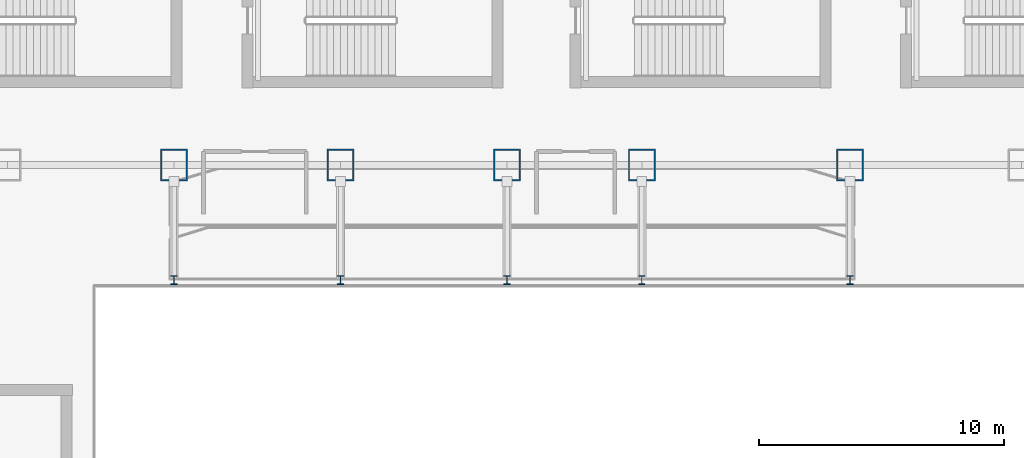
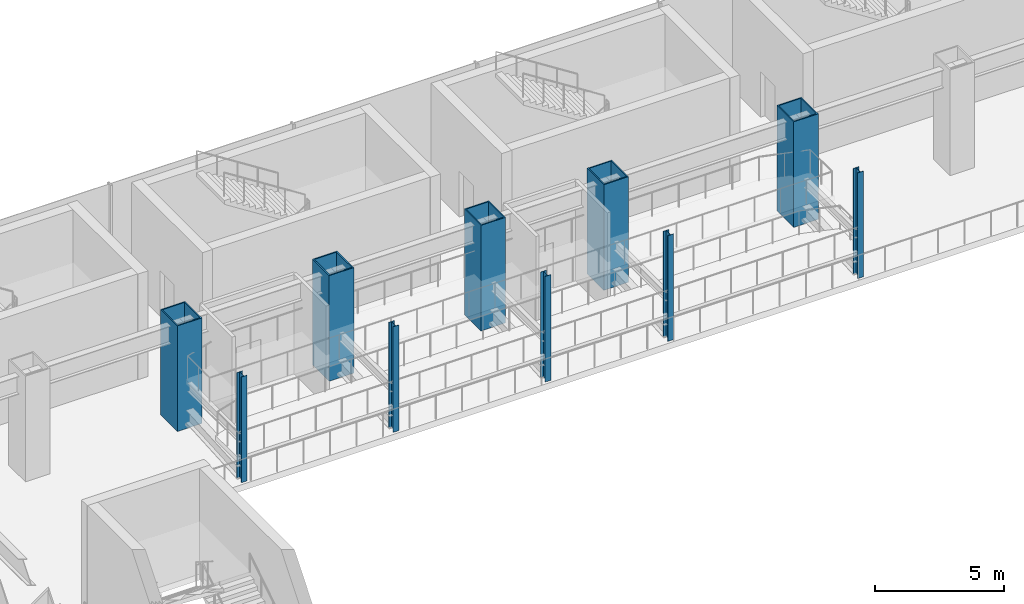
# One storey, part 2 of 39: 10 columns.
"""IFC4 building model written with IfcOpenShell, lengths in metres."""

from ifc_helpers import new_model, si_unit, derived_unit, direction, frame, origin, origin_2d, place, context, subcontext, project, spatial, hollow_rectangle, i_section, extrude, source, transform, mapped, material, material_profile, profile_set, type_object, element, save


model = new_model("IFC4")

# Units and contexts
model_context = context("Model", 3, precision=1e-05, world=origin(), true_north=direction((0.0, 1.0)))
body_context = subcontext(model_context, "Body", "Model", "MODEL_VIEW")
ifc_project = project(units=[si_unit("LENGTHUNIT", "METRE"), si_unit("AREAUNIT", "SQUARE_METRE"), si_unit("VOLUMEUNIT", "CUBIC_METRE"), si_unit("PLANEANGLEUNIT", "RADIAN"), si_unit("MASSUNIT", "GRAM", prefix="KILO"), derived_unit("THERMALTRANSMITTANCEUNIT", [(si_unit("POWERUNIT", "WATT"), 1), (si_unit("LENGTHUNIT", "METRE"), -2), (si_unit("THERMODYNAMICTEMPERATUREUNIT", "KELVIN"), -1)])], contexts=[model_context])

# Site, building, storey
site_placement = place(None, origin())
site = spatial("IfcSite", under=ifc_project, at=site_placement, CompositionType="ELEMENT")
building_placement = place(site_placement, origin())
building = spatial("IfcBuilding", under=site, at=building_placement, Name="Skarnbrae Concourse Arena and Tower", CompositionType="ELEMENT")
storey_placement = place(building_placement, frame((0.0, 0.0, 11.0)))
storey = spatial("IfcBuildingStorey", under=building, at=storey_placement, Name="L02", CompositionType="ELEMENT", Elevation=11.0)

# Columns
ifc_material = material(Name="Steel CSA G40.21 350W", Category="steel")
ifc_material_profile_1 = material_profile(ifc_material, hollow_rectangle(XDim=1.10009765625, YDim=1.300048828125, WallThickness=0.054931640625, at=origin_2d()), Name="BOX1300X1100X55")
ifc_profile_set_1 = profile_set([ifc_material_profile_1], Name="Steel CSA G40.21 350W")
column_type_1 = type_object("IfcColumnType", Name="COL-MEGA-BOX1300", PredefinedType="PILASTER", material=ifc_profile_set_1)
shared_shape_1 = source(origin(), body_context, "Body", "SweptSolid", [
    extrude(hollow_rectangle(XDim=1.10009765625, YDim=1.300048828125, WallThickness=0.054931640625, at=origin_2d()), origin(), (0.0, 0.0, 1.0), 5.0),
])
for number, where, z_axis, x_axis, name in (
    (1, (14.39990234375, 47.0, 0.0), (0.0, 0.0, 1.0), (1.0, 0.0, 0.0), "L02 Podium mega-column MC-N3"),
    (2, (21.199951171875, 47.0, 0.0), (0.0, 0.0, 1.0), (1.0, 0.0, 0.0), "L02 Podium mega-column MC-N4"),
    (3, (28.0, 47.0, 0.0), (0.0, 0.0, 1.0), (1.0, 0.0, 0.0), "L02 Podium mega-column MC-N5"),
    (4, (33.5, 47.0, 0.0), (0.0, 0.0, 1.0), (1.0, 0.0, 0.0), "L02 Podium mega-column MC-N6"),
    (5, (42.0, 47.0, 0.0), (0.0, 0.0, 1.0), (1.0, 0.0, 0.0), "L02 Podium mega-column MC-N7"),
):
    element("IfcColumn", number, at=place(storey_placement, frame(where, z_axis=z_axis, x_axis=x_axis)), inside=storey, type_object=column_type_1, Name=name, PredefinedType="PILASTER", context=body_context, shape_type="MappedRepresentation", body=[
        mapped(shared_shape_1, transform((0.0, 0.0, 0.0))),
    ])
ifc_material_profile_2 = material_profile(ifc_material, i_section(OverallWidth=0.257080078125, OverallDepth=0.363037109375, WebThickness=0.012939453125, FlangeThickness=0.021728515625, at=origin_2d()), Name="W360X122")
ifc_profile_set_2 = profile_set([ifc_material_profile_2], Name="Steel CSA G40.21 350W")
column_type_2 = type_object("IfcColumnType", Name="COL-POD-W360X122", PredefinedType="COLUMN", material=ifc_profile_set_2)
shared_shape_2 = source(origin(), body_context, "Body", "SweptSolid", [
    extrude(i_section(OverallWidth=0.257080078125, OverallDepth=0.363037109375, WebThickness=0.012939453125, FlangeThickness=0.021728515625, at=origin_2d()), origin(), (0.0, 0.0, 1.0), 5.0),
])
for number, where, z_axis, x_axis, name in (
    (6, (14.39990234375, 42.300048828125, 0.0), (0.0, 0.0, 1.0), (1.0, 0.0, 0.0), "L02 Arena seating stand toe column X14"),
    (7, (21.199951171875, 42.300048828125, 0.0), (0.0, 0.0, 1.0), (1.0, 0.0, 0.0), "L02 Arena seating stand toe column X21"),
    (8, (28.0, 42.300048828125, 0.0), (0.0, 0.0, 1.0), (1.0, 0.0, 0.0), "L02 Arena seating stand toe column X28"),
    (9, (33.5, 42.300048828125, 0.0), (0.0, 0.0, 1.0), (1.0, 0.0, 0.0), "L02 Arena seating stand toe column X33"),
    (10, (42.0, 42.300048828125, 0.0), (0.0, 0.0, 1.0), (1.0, 0.0, 0.0), "L02 Arena seating stand toe column X42"),
):
    element("IfcColumn", number, at=place(storey_placement, frame(where, z_axis=z_axis, x_axis=x_axis)), inside=storey, type_object=column_type_2, Name=name, PredefinedType="COLUMN", context=body_context, shape_type="MappedRepresentation", body=[
        mapped(shared_shape_2, transform((0.0, 0.0, 0.0))),
    ])

save(model, "model.ifc")
